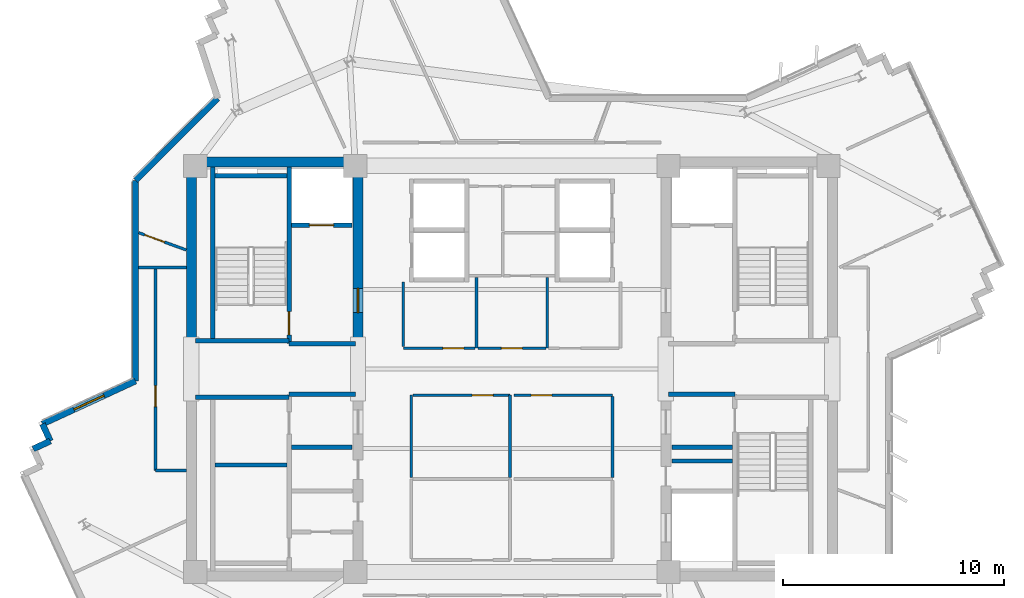
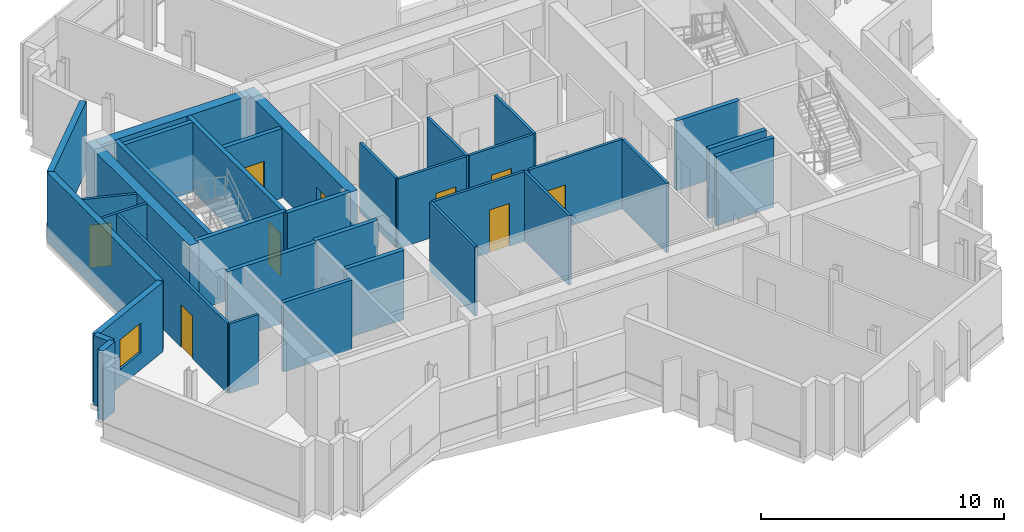
# One storey, part 6 of 12: 35 walls, 9 doors, 1 window, 10 openings.
"""IFC4 building model written with IfcOpenShell, lengths in metres."""

import ifcopenshell
import ifcopenshell.guid

model = None  # the IFC model being written
_history = None  # IfcOwnerHistory: only IFC2X3 demands one
_inside = {}  # id of a spatial element -> (the spatial element, [elements in it])
_under = {}  # id of a project, library or spatial element -> (it, [spatial elements below it])
_declared = {}  # id of a project -> (the project, [libraries it declares])
_typed = {}  # id of a type object -> (the type object, [elements of that type])
_made_of = {}  # id of a material, layer set ... -> (it, [elements and type objects made of it])


def new_model(schema):
    """Start an empty IFC model of exactly this schema.

    Asked for "IFC4X3", IfcOpenShell would pick the latest addendum, in which some entities
    have other attributes; the version numbers below select the first issue.
    IFC2X3 requires an IfcOwnerHistory on every rooted entity: one is made here for all.
    """
    global model, _history
    if schema == "IFC4X3":
        model = ifcopenshell.file(schema_version=(4, 3, 0, 0))
    else:
        model = ifcopenshell.file(schema=schema)
    _inside.clear()
    _under.clear()
    _declared.clear()
    _typed.clear()
    _made_of.clear()
    _history = None
    if model.schema == "IFC2X3":
        org = make("IfcOrganization", Name="unknown")
        user = make(
            "IfcPersonAndOrganization",
            ThePerson=make("IfcPerson", FamilyName="unknown"),
            TheOrganization=org,
        )
        app = make(
            "IfcApplication",
            ApplicationDeveloper=org,
            Version="unknown",
            ApplicationFullName="unknown",
            ApplicationIdentifier="unknown",
        )
        _history = make(
            "IfcOwnerHistory",
            OwningUser=user,
            OwningApplication=app,
            ChangeAction="ADDED",
            CreationDate=0,
        )
    return model


def make(cls, **values):
    """One entity of the class cls with the attributes given. An attribute that is None is left unset."""
    return model.create_entity(
        cls, **{name: value for name, value in values.items() if value is not None}
    )


def rooted(cls, **values):
    """An entity with a GlobalId (a new one), such as an element, a storey or a relation."""
    return make(cls, GlobalId=ifcopenshell.guid.new(), OwnerHistory=_history, **values)


def si_unit(unit_type, name, prefix=None):
    """IfcSIUnit, for example si_unit("LENGTHUNIT", "METRE", prefix="MILLI")."""
    return make("IfcSIUnit", UnitType=unit_type, Prefix=prefix, Name=name)


def assignment(units):
    """IfcUnitAssignment: the units of a project."""
    return None if units is None else make("IfcUnitAssignment", Units=units)


def point(xyz):
    """IfcCartesianPoint."""
    return None if xyz is None else make("IfcCartesianPoint", Coordinates=xyz)


def direction(xyz):
    """IfcDirection."""
    return None if xyz is None else make("IfcDirection", DirectionRatios=xyz)


def frame(location, z_axis=None, x_axis=None):
    """IfcAxis2Placement3D, a coordinate frame: its origin and axes. An axis left out is left unset."""
    return make(
        "IfcAxis2Placement3D",
        Location=point(location),
        Axis=direction(z_axis),
        RefDirection=direction(x_axis),
    )


def frame_2d(location, x_axis=None):
    """IfcAxis2Placement2D, a coordinate frame in the plane: its origin and x axis."""
    return make(
        "IfcAxis2Placement2D", Location=point(location), RefDirection=direction(x_axis)
    )


def origin():
    """The frame at (0, 0, 0) with its axes left unset."""
    return frame((0.0, 0.0, 0.0))


def place(relative_to, where):
    """IfcLocalPlacement: puts the frame where relative to a parent placement (None: the world)."""
    return make(
        "IfcLocalPlacement", PlacementRelTo=relative_to, RelativePlacement=where
    )


def context(
    kind, dimensions, precision=None, world=None, true_north=None, identifier=None
):
    """IfcGeometricRepresentationContext, for example the 3D "Model" context."""
    return make(
        "IfcGeometricRepresentationContext",
        ContextIdentifier=identifier,
        ContextType=kind,
        CoordinateSpaceDimension=dimensions,
        Precision=precision,
        WorldCoordinateSystem=world,
        TrueNorth=true_north,
    )


def subcontext(parent, identifier, kind, view, scale=None):
    """IfcGeometricRepresentationSubContext, for example "Body" below "Model"."""
    return make(
        "IfcGeometricRepresentationSubContext",
        ContextIdentifier=identifier,
        ContextType=kind,
        ParentContext=parent,
        TargetScale=scale,
        TargetView=view,
    )


def project(units=None, contexts=None):
    """IfcProject with its units and contexts."""
    return rooted(
        "IfcProject",
        Name="project",
        RepresentationContexts=contexts,
        UnitsInContext=assignment(units),
    )


def spatial(cls, under=None, at=None, **own):
    """A site, building, storey or space (cls), placed at a placement, below another one or the project."""
    s = rooted(cls, ObjectPlacement=at, **own)
    if under is not None:
        _under.setdefault(under.id(), (under, []))[1].append(s)
    return s


def profile(cls, at=None, kind="AREA", **sizes):
    """A parametric profile (cls). Its sizes go by their IFC names, for example OverallWidth=200.0."""
    return make(cls, ProfileType=kind, Position=at, **sizes)


def rectangle(**sizes):
    """IfcRectangleProfileDef."""
    return profile("IfcRectangleProfileDef", **sizes)


def extrude(swept, where, along, depth):
    """IfcExtrudedAreaSolid: the profile swept, set in the frame where, extruded along a direction by depth."""
    return make(
        "IfcExtrudedAreaSolid",
        SweptArea=swept,
        Position=where,
        ExtrudedDirection=direction(along),
        Depth=depth,
    )


def shape(context_of_items, identifier, shape_type, items):
    """IfcShapeRepresentation: the items that make up one representation, for example the "Body"."""
    return make(
        "IfcShapeRepresentation",
        ContextOfItems=context_of_items,
        RepresentationIdentifier=identifier,
        RepresentationType=shape_type,
        Items=items,
    )


def source(mapping_origin, context_of_items, identifier, shape_type, items):
    """IfcRepresentationMap: a shape defined once, which mapped items show again and again."""
    return make(
        "IfcRepresentationMap",
        MappingOrigin=mapping_origin,
        MappedRepresentation=shape(context_of_items, identifier, shape_type, items),
    )


def transform(
    local_origin,
    x_axis=None,
    y_axis=None,
    z_axis=None,
    scale=None,
    scale2=None,
    scale3=None,
    uniform=True,
):
    """IfcCartesianTransformationOperator3D, or its non-uniform kind. x_axis, y_axis, z_axis: its Axis1, 2, 3."""
    if uniform:
        return make(
            "IfcCartesianTransformationOperator3D",
            Axis1=direction(x_axis),
            Axis2=direction(y_axis),
            LocalOrigin=point(local_origin),
            Scale=scale,
            Axis3=direction(z_axis),
        )
    return make(
        "IfcCartesianTransformationOperator3DnonUniform",
        Axis1=direction(x_axis),
        Axis2=direction(y_axis),
        LocalOrigin=point(local_origin),
        Scale=scale,
        Axis3=direction(z_axis),
        Scale2=scale2,
        Scale3=scale3,
    )


def mapped(mapping_source, mapping_target):
    """IfcMappedItem: shows the shape of a source again, moved by a transform."""
    return make(
        "IfcMappedItem", MappingSource=mapping_source, MappingTarget=mapping_target
    )


def material(Name=None, Category=None):
    """IfcMaterial."""
    return make("IfcMaterial", Name=Name, Category=Category)


def layer(
    of_material, thickness, ventilated=None, Name=None, Category=None, Priority=None
):
    """IfcMaterialLayer: one layer of a wall or slab, of a material (None: an air gap)."""
    return make(
        "IfcMaterialLayer",
        Material=of_material,
        LayerThickness=thickness,
        IsVentilated=ventilated,
        Name=Name,
        Category=Category,
        Priority=Priority,
    )


def layer_set(layers, Name=None):
    """IfcMaterialLayerSet."""
    return make("IfcMaterialLayerSet", MaterialLayers=layers, LayerSetName=Name)


def made_of(thing, what):
    """Note that an element or type object is made of a material, layer set ...; save() writes the relation."""
    if what is not None:
        _made_of.setdefault(what.id(), (what, []))[1].append(thing)
    return thing


def type_object(cls, material=None, **own):
    """A type object (cls), such as IfcWallType, which elements share."""
    return made_of(rooted(cls, **own), material)


def element(
    cls,
    number,
    at=None,
    inside=None,
    cuts=None,
    type_object=None,
    material=None,
    context=None,
    identifier="Body",
    shape_type=None,
    held_by="IfcProductDefinitionShape",
    body=None,
    shapes=None,
    **own,
):
    """One element of the class cls, such as IfcWall. Its Tag is "e" and its number.

    at: its placement. inside: the storey or other place that contains it. cuts: it is an
    opening in that element (IfcRelVoidsElement). A single representation is given by context,
    identifier, shape_type and body (its items); several are given by shapes. held_by: the class
    of the entity that holds the representations. save() writes the other relations.
    """
    e = rooted(cls, Tag="e%d" % number, ObjectPlacement=at, **own)
    if body is not None:
        shapes = [shape(context, identifier, shape_type, body)]
    if shapes is not None:
        e.Representation = make(held_by, Representations=shapes)
    if inside is not None:
        _inside.setdefault(inside.id(), (inside, []))[1].append(e)
    if cuts is not None:
        rooted(
            "IfcRelVoidsElement", RelatingBuildingElement=cuts, RelatedOpeningElement=e
        )
    if type_object is not None:
        _typed.setdefault(type_object.id(), (type_object, []))[1].append(e)
    return made_of(e, material)


def fill(opening, filler):
    """IfcRelFillsElement: the door or window that sits in an opening."""
    return rooted(
        "IfcRelFillsElement",
        RelatingOpeningElement=opening,
        RelatedBuildingElement=filler,
    )


def aggregate(whole, parts):
    """IfcRelAggregates: a whole, such as a stair, and the parts it consists of."""
    return rooted("IfcRelAggregates", RelatingObject=whole, RelatedObjects=parts)


def save(model, path):
    """Write the relations noted so far, then the file.

    IfcRelAggregates (storeys below a building ...), IfcRelContainedInSpatialStructure (elements
    in a storey), IfcRelDefinesByType, IfcRelAssociatesMaterial and IfcRelDeclares: one each for
    every whole, place, type object, material and project.
    """
    for whole, parts in _under.values():
        aggregate(whole, parts)
    for where, things in _inside.values():
        rooted(
            "IfcRelContainedInSpatialStructure",
            RelatedElements=things,
            RelatingStructure=where,
        )
    for kind, things in _typed.values():
        rooted("IfcRelDefinesByType", RelatedObjects=things, RelatingType=kind)
    for what, things in _made_of.values():
        rooted("IfcRelAssociatesMaterial", RelatedObjects=things, RelatingMaterial=what)
    for by, libraries in _declared.values():
        rooted("IfcRelDeclares", RelatingContext=by, RelatedDefinitions=libraries)
    model.write(path)


model = new_model("IFC4")

# Units and contexts
model_context = context("Model", 3, precision=1e-05, world=origin(), true_north=direction((0.0, 1.0)))
body_context = subcontext(model_context, "Body", "Model", "MODEL_VIEW")
ifc_project = project(units=[si_unit("LENGTHUNIT", "METRE"), si_unit("AREAUNIT", "SQUARE_METRE"), si_unit("VOLUMEUNIT", "CUBIC_METRE"), si_unit("PLANEANGLEUNIT", "RADIAN"), si_unit("MASSUNIT", "GRAM", prefix="KILO")], contexts=[model_context])

# Site, building, storey
site_placement = place(None, origin())
site = spatial("IfcSite", under=ifc_project, at=site_placement, CompositionType="ELEMENT")
building_placement = place(site_placement, origin())
building = spatial("IfcBuilding", under=site, at=building_placement, Name="Zahravan Cultural Tower", CompositionType="ELEMENT")
storey_placement = place(building_placement, frame((0.0, 0.0, 242.85009765625)))
storey = spatial("IfcBuildingStorey", under=building, at=storey_placement, Name="L57", CompositionType="ELEMENT", Elevation=242.85009765625)

# Wall, opening, door
ifc_material_1 = material(Name="Concrete C50/60", Category="concrete")
ifc_layer_1 = layer(ifc_material_1, 0.449951171875)
ifc_layer_set_1 = layer_set([ifc_layer_1], Name="Concrete C50/60")
wall_type_1 = type_object("IfcWallType", Name="CW-SHEAR-450-C50", PredefinedType="SHEAR", material=ifc_layer_set_1)
wall_1_placement = place(storey_placement, frame((29.02490234375, 28.050048828125, 0.0), z_axis=(0.0, 0.0, 1.0), x_axis=(0.0, 1.0, 0.0)))
wall_1 = element("IfcWall", 1, at=wall_1_placement, inside=storey, type_object=wall_type_1, Name="L57 Core Shear Wall CW-W-EN-L57", PredefinedType="SHEAR", context=body_context, shape_type="SweptSolid", body=[
    extrude(rectangle(XDim=8.550048828125, YDim=0.449951171875, at=frame_2d((4.27490234375, 0.0))), origin(), (0.0, 0.0, 1.0), 3.5),
])
opening_1_placement = place(wall_1_placement, frame((1.5, 0.0, 0.0)))
opening_1 = element("IfcOpeningElement", 2, at=opening_1_placement, cuts=wall_1, Name="Opening D-L57-06", PredefinedType="OPENING", context=body_context, shape_type="SweptSolid", body=[
    extrude(rectangle(XDim=1.10009765625, YDim=2.199951171875, at=frame_2d((0.550048828125, 1.10009765625))), frame((0.0, 0.23486328125, 0.0), z_axis=(0.0, -1.0, 0.0), x_axis=(1.0, 0.0, 0.0)), (0.0, 0.0, 1.0), 0.469970703125),
])
ifc_material_2 = material(Name="Steel ASTM A572 Grade 50", Category="steel")
door_type_1 = type_object("IfcDoorType", Name="DR-LOBBY-1100", OperationType="NOTDEFINED", PredefinedType="DOOR", material=ifc_material_2)
shared_shape_1 = source(origin(), body_context, "Body", "SweptSolid", [
    extrude(rectangle(XDim=1.10009765625, YDim=2.199951171875, at=frame_2d((0.550048828125, 1.10009765625))), frame((0.0, 0.02490234375, 0.0), z_axis=(0.0, -1.0, 0.0), x_axis=(1.0, 0.0, 0.0)), (0.0, 0.0, 1.0), 0.050048828125),
])
door_1_placement = place(opening_1_placement, origin())
door_1 = element("IfcDoor", 3, at=door_1_placement, inside=storey, type_object=door_type_1, Name="L57 Door D-L57-06", OperationType="SINGLE_SWING_RIGHT", OverallHeight=2.199951171875, OverallWidth=1.10009765625, PredefinedType="DOOR", context=body_context, shape_type="MappedRepresentation", body=[
    mapped(shared_shape_1, transform((0.0, 0.0, 0.0), x_axis=(1.0, 0.0, 0.0), y_axis=(0.0, 1.0, 0.0), z_axis=(0.0, 0.0, 1.0), scale=1.0)),
])
fill(opening_1, door_1)

# Wall, opening, window
ifc_material_3 = material(Name="Precast concrete C40/50", Category="concrete")
ifc_layer_2 = layer(ifc_material_3, 0.280029296875)
ifc_layer_set_2 = layer_set([ifc_layer_2], Name="Precast concrete C40/50")
wall_type_2 = type_object("IfcWallType", Name="EW-TC-280", PredefinedType="SOLIDWALL", material=ifc_layer_set_2)
wall_2_placement = place(storey_placement, frame((14.72412109375, 24.505615234375, 0.0), z_axis=(0.0, 0.0, 1.0), x_axis=(0.907756183213, 0.419498166669, 0.0)))
wall_2 = element("IfcWall", 4, at=wall_2_placement, inside=storey, type_object=wall_type_2, Name="L57 Exterior Masonry Frame Wall 35", PredefinedType="SOLIDWALL", context=body_context, shape_type="SweptSolid", body=[
    extrude(rectangle(XDim=4.644287109375, YDim=0.280029296875, at=frame_2d((2.322265625, 0.0))), origin(), (0.0, 0.0, 1.0), 3.5),
])
opening_2_placement = place(wall_2_placement, frame((1.572021484375, 0.0, 0.85009765625)))
opening_2 = element("IfcOpeningElement", 5, at=opening_2_placement, cuts=wall_2, Name="Opening WN-03", PredefinedType="OPENING", context=body_context, shape_type="SweptSolid", body=[
    extrude(rectangle(XDim=1.5, YDim=1.5, at=frame_2d((0.75, 0.75))), frame((0.0, 0.14990234375, 0.0), z_axis=(0.0, -1.0, 0.0), x_axis=(1.0, 0.0, 0.0)), (0.0, 0.0, 1.0), 0.300048828125),
])
ifc_material_4 = material(Name="Low-E solar-control double glazing", Category="glass")
window_type = type_object("IfcWindowType", Name="WN-REC-1500X1500", PartitioningType="SINGLE_PANEL", PredefinedType="WINDOW", material=ifc_material_4)
shared_shape_2 = source(origin(), body_context, "Body", "SweptSolid", [
    extrude(rectangle(XDim=1.5, YDim=1.5, at=frame_2d((0.75, 0.75))), frame((0.0, 0.030029296875, 0.0), z_axis=(0.0, -1.0, 0.0), x_axis=(1.0, 0.0, 0.0)), (0.0, 0.0, 1.0), 0.06005859375),
])
window_placement = place(opening_2_placement, origin())
window = element("IfcWindow", 6, at=window_placement, inside=storey, type_object=window_type, Name="L57 Recessed Solar Window 08", OverallHeight=1.5, OverallWidth=1.5, PartitioningType="SINGLE_PANEL", PredefinedType="WINDOW", context=body_context, shape_type="MappedRepresentation", body=[
    mapped(shared_shape_2, transform((0.0, 0.0, 0.0), x_axis=(1.0, 0.0, 0.0), y_axis=(0.0, 1.0, 0.0), z_axis=(0.0, 0.0, 1.0), scale=1.0)),
])
fill(opening_2, window)

# Wall, opening, door
ifc_material_5 = material(Name="Gypsum plasterboard partition")
ifc_layer_3 = layer(ifc_material_5, 0.125)
ifc_layer_set_3 = layer_set([ifc_layer_3], Name="Gypsum plasterboard partition")
wall_type_3 = type_object("IfcWallType", Name="W-PART-125", PredefinedType="PARTITIONING", material=ifc_layer_set_3)
wall_3_placement = place(storey_placement, frame((37.532470703125, 27.93994140625, 0.0), z_axis=(0.0, 0.0, 1.0), x_axis=(-1.0, 0.0, 0.0)))
wall_3 = element("IfcWall", 7, at=wall_3_placement, inside=storey, type_object=wall_type_3, Name="L57 Interior Wall 053", PredefinedType="PARTITIONING", context=body_context, shape_type="SweptSolid", body=[
    extrude(rectangle(XDim=3.06494140625, YDim=0.125, at=frame_2d((1.532470703125, 0.0))), origin(), (0.0, 0.0, 1.0), 3.5),
])
opening_3_placement = place(wall_3_placement, frame((1.0576171875, 0.0, 0.0)))
opening_3 = element("IfcOpeningElement", 8, at=opening_3_placement, cuts=wall_3, Name="Opening D-L57-21", PredefinedType="OPENING", context=body_context, shape_type="SweptSolid", body=[
    extrude(rectangle(XDim=0.949951171875, YDim=2.14990234375, at=frame_2d((0.47509765625, 1.074951171875))), frame((0.0, 0.072509765625, 0.0), z_axis=(0.0, -1.0, 0.0), x_axis=(1.0, 0.0, 0.0)), (0.0, 0.0, 1.0), 0.14501953125),
])
ifc_material_6 = material(Name="Anodised bronze-aluminium mullion", Category="aluminium")
door_type_2 = type_object("IfcDoorType", Name="DR-ROOM-950", OperationType="NOTDEFINED", PredefinedType="DOOR", material=ifc_material_6)
shared_shape_3 = source(origin(), body_context, "Body", "SweptSolid", [
    extrude(rectangle(XDim=0.949951171875, YDim=2.14990234375, at=frame_2d((0.47509765625, 1.074951171875))), frame((0.0, 0.02490234375, 0.0), z_axis=(0.0, -1.0, 0.0), x_axis=(1.0, 0.0, 0.0)), (0.0, 0.0, 1.0), 0.050048828125),
])
door_2_placement = place(opening_3_placement, origin())
door_2 = element("IfcDoor", 9, at=door_2_placement, inside=storey, type_object=door_type_2, Name="L57 Door D-L57-21", OperationType="SINGLE_SWING_LEFT", OverallHeight=2.14990234375, OverallWidth=0.949951171875, PredefinedType="DOOR", context=body_context, shape_type="MappedRepresentation", body=[
    mapped(shared_shape_3, transform((0.0, 0.0, 0.0), x_axis=(1.0, 0.0, 0.0), y_axis=(0.0, 1.0, 0.0), z_axis=(0.0, 0.0, 1.0), scale=1.0)),
])
fill(opening_3, door_2)

wall_4_placement = place(storey_placement, frame((34.33251953125, 27.93994140625, 0.0), z_axis=(0.0, 0.0, 1.0), x_axis=(-1.0, 0.0, 0.0)))
wall_4 = element("IfcWall", 10, at=wall_4_placement, inside=storey, type_object=wall_type_3, Name="L57 Interior Wall 054", PredefinedType="PARTITIONING", context=body_context, shape_type="SweptSolid", body=[
    extrude(rectangle(XDim=3.25244140625, YDim=0.125, at=frame_2d((1.626220703125, 0.0))), origin(), (0.0, 0.0, 1.0), 3.5),
])
opening_4_placement = place(wall_4_placement, frame((0.506591796875, 0.0, 0.0)))
opening_4 = element("IfcOpeningElement", 11, at=opening_4_placement, cuts=wall_4, Name="Opening D-L57-20", PredefinedType="OPENING", context=body_context, shape_type="SweptSolid", body=[
    extrude(rectangle(XDim=0.949951171875, YDim=2.14990234375, at=frame_2d((0.47509765625, 1.074951171875))), frame((0.0, 0.072509765625, 0.0), z_axis=(0.0, -1.0, 0.0), x_axis=(1.0, 0.0, 0.0)), (0.0, 0.0, 1.0), 0.14501953125),
])
door_3_placement = place(opening_4_placement, origin())
door_3 = element("IfcDoor", 12, at=door_3_placement, inside=storey, type_object=door_type_2, Name="L57 Door D-L57-20", OperationType="SINGLE_SWING_RIGHT", OverallHeight=2.14990234375, OverallWidth=0.949951171875, PredefinedType="DOOR", context=body_context, shape_type="MappedRepresentation", body=[
    mapped(shared_shape_3, transform((0.0, 0.0, 0.0), x_axis=(1.0, 0.0, 0.0), y_axis=(0.0, 1.0, 0.0), z_axis=(0.0, 0.0, 1.0), scale=1.0)),
])
fill(opening_4, door_3)

wall_5_placement = place(storey_placement, frame((31.507568359375, 25.81005859375, 0.0), z_axis=(0.0, 0.0, 1.0), x_axis=(1.0, 0.0, 0.0)))
wall_5 = element("IfcWall", 13, at=wall_5_placement, inside=storey, type_object=wall_type_3, Name="L57 Interior Wall 066", PredefinedType="PARTITIONING", context=body_context, shape_type="SweptSolid", body=[
    extrude(rectangle(XDim=4.40234375, YDim=0.125, at=frame_2d((2.201171875, 0.0))), origin(), (0.0, 0.0, 1.0), 3.5),
])
opening_5_placement = place(wall_5_placement, frame((2.69287109375, 0.0, 0.0)))
opening_5 = element("IfcOpeningElement", 14, at=opening_5_placement, cuts=wall_5, Name="Opening D-L57-15", PredefinedType="OPENING", context=body_context, shape_type="SweptSolid", body=[
    extrude(rectangle(XDim=0.949951171875, YDim=2.14990234375, at=frame_2d((0.47509765625, 1.074951171875))), frame((0.0, 0.072509765625, 0.0), z_axis=(0.0, -1.0, 0.0), x_axis=(1.0, 0.0, 0.0)), (0.0, 0.0, 1.0), 0.14501953125),
])
door_4_placement = place(opening_5_placement, origin())
door_4 = element("IfcDoor", 15, at=door_4_placement, inside=storey, type_object=door_type_2, Name="L57 Door D-L57-15", OperationType="SINGLE_SWING_LEFT", OverallHeight=2.14990234375, OverallWidth=0.949951171875, PredefinedType="DOOR", context=body_context, shape_type="MappedRepresentation", body=[
    mapped(shared_shape_3, transform((0.0, 0.0, 0.0), x_axis=(1.0, 0.0, 0.0), y_axis=(0.0, 1.0, 0.0), z_axis=(0.0, 0.0, 1.0), scale=1.0)),
])
fill(opening_5, door_4)

wall_6_placement = place(storey_placement, frame((36.090087890625, 25.81005859375, 0.0), z_axis=(0.0, 0.0, 1.0), x_axis=(1.0, 0.0, 0.0)))
wall_6 = element("IfcWall", 16, at=wall_6_placement, inside=storey, type_object=wall_type_3, Name="L57 Interior Wall 068", PredefinedType="PARTITIONING", context=body_context, shape_type="SweptSolid", body=[
    extrude(rectangle(XDim=4.469970703125, YDim=0.125, at=frame_2d((2.23486328125, 0.0))), origin(), (0.0, 0.0, 1.0), 3.5),
])
opening_6_placement = place(wall_6_placement, frame((0.7744140625, 0.0, 0.0)))
opening_6 = element("IfcOpeningElement", 17, at=opening_6_placement, cuts=wall_6, Name="Opening D-L57-17", PredefinedType="OPENING", context=body_context, shape_type="SweptSolid", body=[
    extrude(rectangle(XDim=0.949951171875, YDim=2.14990234375, at=frame_2d((0.47509765625, 1.074951171875))), frame((0.0, 0.072509765625, 0.0), z_axis=(0.0, -1.0, 0.0), x_axis=(1.0, 0.0, 0.0)), (0.0, 0.0, 1.0), 0.14501953125),
])
door_5_placement = place(opening_6_placement, origin())
door_5 = element("IfcDoor", 18, at=door_5_placement, inside=storey, type_object=door_type_2, Name="L57 Door D-L57-17", OperationType="SINGLE_SWING_LEFT", OverallHeight=2.14990234375, OverallWidth=0.949951171875, PredefinedType="DOOR", context=body_context, shape_type="MappedRepresentation", body=[
    mapped(shared_shape_3, transform((0.0, 0.0, 0.0), x_axis=(1.0, 0.0, 0.0), y_axis=(0.0, 1.0, 0.0), z_axis=(0.0, 0.0, 1.0), scale=1.0)),
])
fill(opening_6, door_5)

wall_7_placement = place(storey_placement, frame((21.2451171875, 32.39111328125, 0.0), z_axis=(0.0, 0.0, 1.0), x_axis=(-0.940115637779, 0.340855669755, 0.0)))
wall_7 = element("IfcWall", 19, at=wall_7_placement, inside=storey, type_object=wall_type_3, Name="L57 Interior Wall 093", PredefinedType="PARTITIONING", context=body_context, shape_type="SweptSolid", body=[
    extrude(rectangle(XDim=2.2978515625, YDim=0.125, at=frame_2d((1.14892578125, 0.0))), origin(), (0.0, 0.0, 1.0), 3.5),
])
opening_7_placement = place(wall_7_placement, frame((1.051025390625, 0.0, 0.0)))
opening_7 = element("IfcOpeningElement", 20, at=opening_7_placement, cuts=wall_7, Name="Opening D-L57-33", PredefinedType="OPENING", context=body_context, shape_type="SweptSolid", body=[
    extrude(rectangle(XDim=0.949951171875, YDim=2.14990234375, at=frame_2d((0.47509765625, 1.074951171875))), frame((0.0, 0.072509765625, 0.0), z_axis=(0.0, -1.0, 0.0), x_axis=(1.0, 0.0, 0.0)), (0.0, 0.0, 1.0), 0.14501953125),
])
door_6_placement = place(opening_7_placement, origin())
door_6 = element("IfcDoor", 21, at=door_6_placement, inside=storey, type_object=door_type_2, Name="L57 Door D-L57-33", OperationType="SINGLE_SWING_LEFT", OverallHeight=2.14990234375, OverallWidth=0.949951171875, PredefinedType="DOOR", context=body_context, shape_type="MappedRepresentation", body=[
    mapped(shared_shape_3, transform((0.0, 0.0, 0.0), x_axis=(1.0, 0.0, 0.0), y_axis=(0.0, 1.0, 0.0), z_axis=(0.0, 0.0, 1.0), scale=1.0)),
])
fill(opening_7, door_6)

wall_8_placement = place(storey_placement, frame((19.85107421875, 31.59912109375, 0.0), z_axis=(0.0, 0.0, 1.0), x_axis=(-7.9685508e-05, -0.999999996825, 0.0)))
wall_8 = element("IfcWall", 22, at=wall_8_placement, inside=storey, type_object=wall_type_3, Name="L57 Interior Wall 097", PredefinedType="PARTITIONING", context=body_context, shape_type="SweptSolid", body=[
    extrude(rectangle(XDim=9.19140625, YDim=0.125, at=frame_2d((4.595703125, 0.0))), origin(), (0.0, 0.0, 1.0), 3.5),
])
opening_8_placement = place(wall_8_placement, frame((5.35693359375, 0.0, 0.0)))
opening_8 = element("IfcOpeningElement", 23, at=opening_8_placement, cuts=wall_8, Name="Opening D-L57-27", PredefinedType="OPENING", context=body_context, shape_type="SweptSolid", body=[
    extrude(rectangle(XDim=0.949951171875, YDim=2.14990234375, at=frame_2d((0.47509765625, 1.074951171875))), frame((0.0, 0.072509765625, 0.0), z_axis=(0.0, -1.0, 0.0), x_axis=(1.0, 0.0, 0.0)), (0.0, 0.0, 1.0), 0.14501953125),
])
door_7_placement = place(opening_8_placement, origin())
door_7 = element("IfcDoor", 24, at=door_7_placement, inside=storey, type_object=door_type_2, Name="L57 Door D-L57-27", OperationType="SINGLE_SWING_LEFT", OverallHeight=2.14990234375, OverallWidth=0.949951171875, PredefinedType="DOOR", context=body_context, shape_type="MappedRepresentation", body=[
    mapped(shared_shape_3, transform((0.0, 0.0, 0.0), x_axis=(1.0, 0.0, 0.0), y_axis=(0.0, 1.0, 0.0), z_axis=(0.0, 0.0, 1.0), scale=1.0)),
])
fill(opening_8, door_7)

ifc_material_7 = material(Name="Concrete C45/55", Category="concrete")
ifc_layer_4 = layer(ifc_material_7, 0.199951171875)
ifc_layer_set_4 = layer_set([ifc_layer_4], Name="Concrete C45/55")
wall_type_4 = type_object("IfcWallType", Name="W-SHAFT-200", PredefinedType="SOLIDWALL", material=ifc_layer_set_4)
wall_9_placement = place(storey_placement, frame((25.89990234375, 28.14990234375, 0.0), z_axis=(0.0, 0.0, 1.0), x_axis=(0.0, 1.0, 0.0)))
wall_9 = element("IfcWall", 25, at=wall_9_placement, inside=storey, type_object=wall_type_4, Name="L57 Interior Wall 006", PredefinedType="SOLIDWALL", context=body_context, shape_type="SweptSolid", body=[
    extrude(rectangle(XDim=8.0, YDim=0.199951171875, at=frame_2d((4.0, 0.0))), origin(), (0.0, 0.0, 1.0), 3.5),
])
opening_9_placement = place(wall_9_placement, frame((0.39990234375, 0.0, 0.0)))
opening_9 = element("IfcOpeningElement", 26, at=opening_9_placement, cuts=wall_9, Name="Opening D-L57-01", PredefinedType="OPENING", context=body_context, shape_type="SweptSolid", body=[
    extrude(rectangle(XDim=1.050048828125, YDim=2.14990234375, at=frame_2d((0.52490234375, 1.074951171875))), frame((0.0, 0.10986328125, 0.0), z_axis=(0.0, -1.0, 0.0), x_axis=(1.0, 0.0, 0.0)), (0.0, 0.0, 1.0), 0.219970703125),
])
door_type_3 = type_object("IfcDoorType", Name="DR-STAIR-1050", OperationType="NOTDEFINED", PredefinedType="DOOR", material=ifc_material_2)
shared_shape_4 = source(origin(), body_context, "Body", "SweptSolid", [
    extrude(rectangle(XDim=1.050048828125, YDim=2.14990234375, at=frame_2d((0.52490234375, 1.074951171875))), frame((0.0, 0.02490234375, 0.0), z_axis=(0.0, -1.0, 0.0), x_axis=(1.0, 0.0, 0.0)), (0.0, 0.0, 1.0), 0.050048828125),
])
door_8_placement = place(opening_9_placement, origin())
door_8 = element("IfcDoor", 27, at=door_8_placement, inside=storey, type_object=door_type_3, Name="L57 Door D-L57-01", OperationType="SINGLE_SWING_LEFT", OverallHeight=2.14990234375, OverallWidth=1.050048828125, PredefinedType="DOOR", context=body_context, shape_type="MappedRepresentation", body=[
    mapped(shared_shape_4, transform((0.0, 0.0, 0.0), x_axis=(1.0, 0.0, 0.0), y_axis=(0.0, 1.0, 0.0), z_axis=(0.0, 0.0, 1.0), scale=1.0)),
])
fill(opening_9, door_8)

wall_10_placement = place(storey_placement, frame((26.0, 33.52001953125, 0.0), z_axis=(0.0, 0.0, 1.0), x_axis=(1.0, 0.0, 0.0)))
wall_10 = element("IfcWall", 28, at=wall_10_placement, inside=storey, type_object=wall_type_4, Name="L57 Interior Wall 022", PredefinedType="SOLIDWALL", context=body_context, shape_type="SweptSolid", body=[
    extrude(rectangle(XDim=2.75, YDim=0.199951171875, at=frame_2d((1.375, 0.0))), origin(), (0.0, 0.0, 1.0), 3.5),
])
opening_10_placement = place(wall_10_placement, frame((0.820068359375, 0.0, 0.0)))
opening_10 = element("IfcOpeningElement", 29, at=opening_10_placement, cuts=wall_10, Name="Opening LD-L57-01", PredefinedType="OPENING", context=body_context, shape_type="SweptSolid", body=[
    extrude(rectangle(XDim=1.10009765625, YDim=2.14990234375, at=frame_2d((0.550048828125, 1.074951171875))), frame((0.0, 0.10986328125, 0.0), z_axis=(0.0, -1.0, 0.0), x_axis=(1.0, 0.0, 0.0)), (0.0, 0.0, 1.0), 0.219970703125),
])
door_type_4 = type_object("IfcDoorType", Name="DR-LIFT-1100", OperationType="DOUBLE_DOOR_SLIDING", PredefinedType="DOOR", material=ifc_material_2)
shared_shape_5 = source(origin(), body_context, "Body", "SweptSolid", [
    extrude(rectangle(XDim=1.10009765625, YDim=2.14990234375, at=frame_2d((0.550048828125, 1.074951171875))), frame((0.0, 0.02490234375, 0.0), z_axis=(0.0, -1.0, 0.0), x_axis=(1.0, 0.0, 0.0)), (0.0, 0.0, 1.0), 0.050048828125),
])
door_9_placement = place(opening_10_placement, origin())
door_9 = element("IfcDoor", 30, at=door_9_placement, inside=storey, type_object=door_type_4, Name="L57 Door LD-L57-01", OperationType="DOUBLE_DOOR_SLIDING", OverallHeight=2.14990234375, OverallWidth=1.10009765625, PredefinedType="DOOR", context=body_context, shape_type="MappedRepresentation", body=[
    mapped(shared_shape_5, transform((0.0, 0.0, 0.0), x_axis=(1.0, 0.0, 0.0), y_axis=(0.0, 1.0, 0.0), z_axis=(0.0, 0.0, 1.0), scale=1.0)),
])
fill(opening_10, door_9)

# Walls
shared_shape_6 = source(origin(), body_context, "Body", "SweptSolid", [
    extrude(rectangle(XDim=8.550048828125, YDim=0.449951171875, at=frame_2d((4.27490234375, 0.0))), origin(), (0.0, 0.0, 1.0), 3.5),
])
wall_11_placement = place(storey_placement, frame((21.47509765625, 28.050048828125, 0.0), z_axis=(0.0, 0.0, 1.0), x_axis=(0.0, 1.0, 0.0)))
element("IfcWall", 31, at=wall_11_placement, inside=storey, type_object=wall_type_1, Name="L57 Core Shear Wall CW-W-WN-L57", PredefinedType="SHEAR", context=body_context, shape_type="MappedRepresentation", body=[
    mapped(shared_shape_6, transform((0.0, 0.0, 0.0), x_axis=(1.0, 0.0, 0.0), y_axis=(0.0, 1.0, 0.0), z_axis=(0.0, 0.0, 1.0), scale=1.0)),
])
shared_shape_7 = source(origin(), body_context, "Body", "SweptSolid", [
    extrude(rectangle(XDim=7.10009765625, YDim=0.449951171875, at=frame_2d((3.550048828125, 0.0))), origin(), (0.0, 0.0, 1.0), 3.5),
])
wall_12_placement = place(storey_placement, frame((21.699951171875, 36.375, 0.0), z_axis=(0.0, 0.0, 1.0), x_axis=(1.0, 0.0, 0.0)))
element("IfcWall", 32, at=wall_12_placement, inside=storey, type_object=wall_type_1, Name="L57 Core Shear Wall CW-W-N-L57", PredefinedType="SHEAR", context=body_context, shape_type="MappedRepresentation", body=[
    mapped(shared_shape_7, transform((0.0, 0.0, 0.0), x_axis=(1.0, 0.0, 0.0), y_axis=(0.0, 1.0, 0.0), z_axis=(0.0, 0.0, 1.0), scale=1.0)),
])
shared_shape_8 = source(origin(), body_context, "Body", "SweptSolid", [
    extrude(rectangle(XDim=0.849853515625, YDim=0.280029296875, at=frame_2d((0.4248046875, 0.0))), origin(), (0.0, 0.0, 1.0), 3.5),
])
for number, where, z_axis, x_axis, name in (
    (33, (14.30908203125, 23.377685546875, 0.0), (0.0, 0.0, 1.0), (0.907791150023, 0.419422493365, 0.0), "L57 Exterior Masonry Frame Wall 33"),
    (34, (15.08056640625, 23.734130859375, 0.0), (0.0, 0.0, 1.0), (-0.419422493365, 0.907791150023, 0.0), "L57 Exterior Masonry Frame Wall 34"),
):
    element("IfcWall", number, at=place(storey_placement, frame(where, z_axis=z_axis, x_axis=x_axis)), inside=storey, type_object=wall_type_2, Name=name, PredefinedType="SOLIDWALL", context=body_context, shape_type="MappedRepresentation", body=[
        mapped(shared_shape_8, transform((0.0, 0.0, 0.0), x_axis=(1.0, 0.0, 0.0), y_axis=(0.0, 1.0, 0.0), z_axis=(0.0, 0.0, 1.0), scale=1.0)),
    ])
shared_shape_9 = source(origin(), body_context, "Body", "SweptSolid", [
    extrude(rectangle(XDim=9.088134765625, YDim=0.280029296875, at=frame_2d((4.5439453125, 0.0))), origin(), (0.0, 0.0, 1.0), 3.5),
])
wall_13_placement = place(storey_placement, frame((18.93994140625, 26.453857421875, 0.0), z_axis=(0.0, 0.0, 1.0), x_axis=(0.0, 1.0, 0.0)))
element("IfcWall", 35, at=wall_13_placement, inside=storey, type_object=wall_type_2, Name="L57 Exterior Masonry Frame Wall 36", PredefinedType="SOLIDWALL", context=body_context, shape_type="MappedRepresentation", body=[
    mapped(shared_shape_9, transform((0.0, 0.0, 0.0), x_axis=(1.0, 0.0, 0.0), y_axis=(0.0, 1.0, 0.0), z_axis=(0.0, 0.0, 1.0), scale=1.0)),
])
shared_shape_10 = source(origin(), body_context, "Body", "SweptSolid", [
    extrude(rectangle(XDim=5.258056640625, YDim=0.280029296875, at=frame_2d((2.62890625, 0.0))), origin(), (0.0, 0.0, 1.0), 3.5),
])
wall_14_placement = place(storey_placement, frame((18.93994140625, 35.5419921875, 0.0), z_axis=(0.0, 0.0, 1.0), x_axis=(0.707106781187, 0.707106781187, 0.0)))
element("IfcWall", 36, at=wall_14_placement, inside=storey, type_object=wall_type_2, Name="L57 Exterior Masonry Frame Wall 37", PredefinedType="SOLIDWALL", context=body_context, shape_type="MappedRepresentation", body=[
    mapped(shared_shape_10, transform((0.0, 0.0, 0.0), x_axis=(1.0, 0.0, 0.0), y_axis=(0.0, 1.0, 0.0), z_axis=(0.0, 0.0, 1.0), scale=1.0)),
])
shared_shape_11 = source(origin(), body_context, "Body", "SweptSolid", [
    extrude(rectangle(XDim=7.869873046875, YDim=0.199951171875, at=frame_2d((3.93505859375, 0.0))), origin(), (0.0, 0.0, 1.0), 3.5),
])
wall_15_placement = place(storey_placement, frame((22.449951171875, 28.280029296875, 0.0), z_axis=(0.0, 0.0, 1.0), x_axis=(0.0, 1.0, 0.0)))
element("IfcWall", 37, at=wall_15_placement, inside=storey, type_object=wall_type_4, Name="L57 Interior Wall 002", PredefinedType="SOLIDWALL", context=body_context, shape_type="MappedRepresentation", body=[
    mapped(shared_shape_11, transform((0.0, 0.0, 0.0), x_axis=(1.0, 0.0, 0.0), y_axis=(0.0, 1.0, 0.0), z_axis=(0.0, 0.0, 1.0), scale=1.0)),
])
shared_shape_12 = source(origin(), body_context, "Body", "SweptSolid", [
    extrude(rectangle(XDim=4.25, YDim=0.199951171875, at=frame_2d((2.125, 0.0))), origin(), (0.0, 0.0, 1.0), 3.5),
])
for number, where, z_axis, x_axis, name in (
    (38, (21.64990234375, 25.715087890625, 0.0), (0.0, 0.0, 1.0), (1.0, 0.0, 0.0), "L57 Interior Wall 009"),
    (39, (21.64990234375, 28.284912109375, 0.0), (0.0, 0.0, 1.0), (1.0, 0.0, 0.0), "L57 Interior Wall 011"),
):
    element("IfcWall", number, at=place(storey_placement, frame(where, z_axis=z_axis, x_axis=x_axis)), inside=storey, type_object=wall_type_4, Name=name, PredefinedType="SOLIDWALL", context=body_context, shape_type="MappedRepresentation", body=[
        mapped(shared_shape_12, transform((0.0, 0.0, 0.0), x_axis=(1.0, 0.0, 0.0), y_axis=(0.0, 1.0, 0.0), z_axis=(0.0, 0.0, 1.0), scale=1.0)),
    ])
shared_shape_13 = source(origin(), body_context, "Body", "SweptSolid", [
    extrude(rectangle(XDim=3.0, YDim=0.199951171875, at=frame_2d((1.5, 0.0))), origin(), (0.0, 0.0, 1.0), 3.5),
])
for number, where, z_axis, x_axis, name in (
    (40, (25.89990234375, 25.85009765625, 0.0), (0.0, 0.0, 1.0), (1.0, 0.0, 0.0), "L57 Interior Wall 010"),
    (41, (25.89990234375, 28.14990234375, 0.0), (0.0, 0.0, 1.0), (1.0, 0.0, 0.0), "L57 Interior Wall 012"),
    (42, (43.10009765625, 25.85009765625, 0.0), (0.0, 0.0, 1.0), (1.0, 0.0, 0.0), "L57 Interior Wall 013"),
):
    element("IfcWall", number, at=place(storey_placement, frame(where, z_axis=z_axis, x_axis=x_axis)), inside=storey, type_object=wall_type_4, Name=name, PredefinedType="SOLIDWALL", context=body_context, shape_type="MappedRepresentation", body=[
        mapped(shared_shape_13, transform((0.0, 0.0, 0.0), x_axis=(1.0, 0.0, 0.0), y_axis=(0.0, 1.0, 0.0), z_axis=(0.0, 0.0, 1.0), scale=1.0)),
    ])
shared_shape_14 = source(origin(), body_context, "Body", "SweptSolid", [
    extrude(rectangle(XDim=3.25, YDim=0.199951171875, at=frame_2d((1.625, 0.0))), origin(), (0.0, 0.0, 1.0), 3.5),
])
wall_16_placement = place(storey_placement, frame((22.550048828125, 35.75, 0.0), z_axis=(0.0, 0.0, 1.0), x_axis=(1.0, 0.0, 0.0)))
element("IfcWall", 43, at=wall_16_placement, inside=storey, type_object=wall_type_4, Name="L57 Interior Wall 017", PredefinedType="SOLIDWALL", context=body_context, shape_type="MappedRepresentation", body=[
    mapped(shared_shape_14, transform((0.0, 0.0, 0.0), x_axis=(1.0, 0.0, 0.0), y_axis=(0.0, 1.0, 0.0), z_axis=(0.0, 0.0, 1.0), scale=1.0)),
])
ifc_layer_5 = layer(ifc_material_5, 0.179931640625)
ifc_layer_set_5 = layer_set([ifc_layer_5], Name="Gypsum plasterboard partition")
wall_type_5 = type_object("IfcWallType", Name="W-COMP-180", PredefinedType="PARTITIONING", material=ifc_layer_set_5)
shared_shape_15 = source(origin(), body_context, "Body", "SweptSolid", [
    extrude(rectangle(XDim=3.25, YDim=0.179931640625, at=frame_2d((1.625, 0.0))), origin(), (0.0, 0.0, 1.0), 3.5),
])
wall_17_placement = place(storey_placement, frame((22.550048828125, 22.64990234375, 0.0), z_axis=(0.0, 0.0, 1.0), x_axis=(1.0, 0.0, 0.0)))
element("IfcWall", 44, at=wall_17_placement, inside=storey, type_object=wall_type_5, Name="L57 Interior Wall 021", PredefinedType="PARTITIONING", context=body_context, shape_type="MappedRepresentation", body=[
    mapped(shared_shape_15, transform((0.0, 0.0, 0.0), x_axis=(1.0, 0.0, 0.0), y_axis=(0.0, 1.0, 0.0), z_axis=(0.0, 0.0, 1.0), scale=1.0)),
])
shared_shape_16 = source(origin(), body_context, "Body", "SweptSolid", [
    extrude(rectangle(XDim=2.75, YDim=0.199951171875, at=frame_2d((1.375, 0.0))), origin(), (0.0, 0.0, 1.0), 3.5),
])
for number, where, z_axis, x_axis, name in (
    (45, (26.0, 23.449951171875, 0.0), (0.0, 0.0, 1.0), (1.0, 0.0, 0.0), "L57 Interior Wall 024"),
    (46, (43.25, 23.449951171875, 0.0), (0.0, 0.0, 1.0), (1.0, 0.0, 0.0), "L57 Interior Wall 025"),
):
    element("IfcWall", number, at=place(storey_placement, frame(where, z_axis=z_axis, x_axis=x_axis)), inside=storey, type_object=wall_type_4, Name=name, PredefinedType="SOLIDWALL", context=body_context, shape_type="MappedRepresentation", body=[
        mapped(shared_shape_16, transform((0.0, 0.0, 0.0), x_axis=(1.0, 0.0, 0.0), y_axis=(0.0, 1.0, 0.0), z_axis=(0.0, 0.0, 1.0), scale=1.0)),
    ])
shared_shape_17 = source(origin(), body_context, "Body", "SweptSolid", [
    extrude(rectangle(XDim=2.75, YDim=0.179931640625, at=frame_2d((1.375, 0.0))), origin(), (0.0, 0.0, 1.0), 3.5),
])
wall_18_placement = place(storey_placement, frame((43.25, 22.820068359375, 0.0), z_axis=(0.0, 0.0, 1.0), x_axis=(1.0, 0.0, 0.0)))
element("IfcWall", 47, at=wall_18_placement, inside=storey, type_object=wall_type_5, Name="L57 Interior Wall 029", PredefinedType="PARTITIONING", context=body_context, shape_type="MappedRepresentation", body=[
    mapped(shared_shape_17, transform((0.0, 0.0, 0.0), x_axis=(1.0, 0.0, 0.0), y_axis=(0.0, 1.0, 0.0), z_axis=(0.0, 0.0, 1.0), scale=1.0)),
])
shared_shape_18 = source(origin(), body_context, "Body", "SweptSolid", [
    extrude(rectangle(XDim=3.199951171875, YDim=0.125, at=frame_2d((1.60009765625, 0.0))), origin(), (0.0, 0.0, 1.0), 3.5),
])
for number, where, z_axis, x_axis, name in (
    (48, (34.39990234375, 27.93994140625, 0.0), (0.0, 0.0, 1.0), (0.0, 1.0, 0.0), "L57 Interior Wall 051"),
    (49, (37.60009765625, 31.139892578125, 0.0), (0.0, 0.0, 1.0), (0.0, -1.0, 0.0), "L57 Interior Wall 052"),
):
    element("IfcWall", number, at=place(storey_placement, frame(where, z_axis=z_axis, x_axis=x_axis)), inside=storey, type_object=wall_type_3, Name=name, PredefinedType="PARTITIONING", context=body_context, shape_type="MappedRepresentation", body=[
        mapped(shared_shape_18, transform((0.0, 0.0, 0.0), x_axis=(1.0, 0.0, 0.0), y_axis=(0.0, 1.0, 0.0), z_axis=(0.0, 0.0, 1.0), scale=1.0)),
    ])
shared_shape_19 = source(origin(), body_context, "Body", "SweptSolid", [
    extrude(rectangle(XDim=2.9423828125, YDim=0.125, at=frame_2d((1.47119140625, 0.0))), origin(), (0.0, 0.0, 1.0), 3.5),
])
wall_19_placement = place(storey_placement, frame((31.080078125, 28.007568359375, 0.0), z_axis=(0.0, 0.0, 1.0), x_axis=(0.0, 1.0, 0.0)))
element("IfcWall", 50, at=wall_19_placement, inside=storey, type_object=wall_type_3, Name="L57 Interior Wall 055", PredefinedType="PARTITIONING", context=body_context, shape_type="MappedRepresentation", body=[
    mapped(shared_shape_19, transform((0.0, 0.0, 0.0), x_axis=(1.0, 0.0, 0.0), y_axis=(0.0, 1.0, 0.0), z_axis=(0.0, 0.0, 1.0), scale=1.0)),
])
shared_shape_20 = source(origin(), body_context, "Body", "SweptSolid", [
    extrude(rectangle(XDim=1.38916015625, YDim=0.125, at=frame_2d((0.694580078125, 0.0))), origin(), (0.0, 0.0, 1.0), 3.5),
])
wall_20_placement = place(storey_placement, frame((19.85595703125, 22.39990234375, 0.0), z_axis=(0.0, 0.0, 1.0), x_axis=(1.0, 0.0, 0.0)))
element("IfcWall", 51, at=wall_20_placement, inside=storey, type_object=wall_type_3, Name="L57 Interior Wall 098", PredefinedType="PARTITIONING", context=body_context, shape_type="MappedRepresentation", body=[
    mapped(shared_shape_20, transform((0.0, 0.0, 0.0), x_axis=(1.0, 0.0, 0.0), y_axis=(0.0, 1.0, 0.0), z_axis=(0.0, 0.0, 1.0), scale=1.0)),
])
shared_shape_21 = source(origin(), body_context, "Body", "SweptSolid", [
    extrude(rectangle(XDim=2.1650390625, YDim=0.125, at=frame_2d((1.08251953125, 0.0))), origin(), (0.0, 0.0, 1.0), 3.5),
])
wall_21_placement = place(storey_placement, frame((21.2451171875, 31.60009765625, 0.0), z_axis=(0.0, 0.0, 1.0), x_axis=(-0.999999688459, -0.000789354738, 0.0)))
element("IfcWall", 52, at=wall_21_placement, inside=storey, type_object=wall_type_3, Name="L57 Interior Wall 100", PredefinedType="PARTITIONING", context=body_context, shape_type="MappedRepresentation", body=[
    mapped(shared_shape_21, transform((0.0, 0.0, 0.0), x_axis=(1.0, 0.0, 0.0), y_axis=(0.0, 1.0, 0.0), z_axis=(0.0, 0.0, 1.0), scale=1.0)),
])
shared_shape_22 = source(origin(), body_context, "Body", "SweptSolid", [
    extrude(rectangle(XDim=3.719970703125, YDim=0.125, at=frame_2d((1.85986328125, 0.0))), origin(), (0.0, 0.0, 1.0), 3.5),
])
for number, where, z_axis, x_axis, name in (
    (53, (31.43994140625, 22.090087890625, 0.0), (0.0, 0.0, 1.0), (0.0, 1.0, 0.0), "L57 Interior Wall 065"),
    (54, (35.909912109375, 25.81005859375, 0.0), (0.0, 0.0, 1.0), (0.0, -1.0, 0.0), "L57 Interior Wall 067"),
):
    element("IfcWall", number, at=place(storey_placement, frame(where, z_axis=z_axis, x_axis=x_axis)), inside=storey, type_object=wall_type_3, Name=name, PredefinedType="PARTITIONING", context=body_context, shape_type="MappedRepresentation", body=[
        mapped(shared_shape_22, transform((0.0, 0.0, 0.0), x_axis=(1.0, 0.0, 0.0), y_axis=(0.0, 1.0, 0.0), z_axis=(0.0, 0.0, 1.0), scale=1.0)),
    ])
shared_shape_23 = source(origin(), body_context, "Body", "SweptSolid", [
    extrude(rectangle(XDim=3.65234375, YDim=0.125, at=frame_2d((1.826171875, 0.0))), origin(), (0.0, 0.0, 1.0), 3.5),
])
wall_22_placement = place(storey_placement, frame((40.56005859375, 25.742431640625, 0.0), z_axis=(0.0, 0.0, 1.0), x_axis=(0.0, -1.0, 0.0)))
element("IfcWall", 55, at=wall_22_placement, inside=storey, type_object=wall_type_3, Name="L57 Interior Wall 069", PredefinedType="PARTITIONING", context=body_context, shape_type="MappedRepresentation", body=[
    mapped(shared_shape_23, transform((0.0, 0.0, 0.0), x_axis=(1.0, 0.0, 0.0), y_axis=(0.0, 1.0, 0.0), z_axis=(0.0, 0.0, 1.0), scale=1.0)),
])

save(model, "model.ifc")
